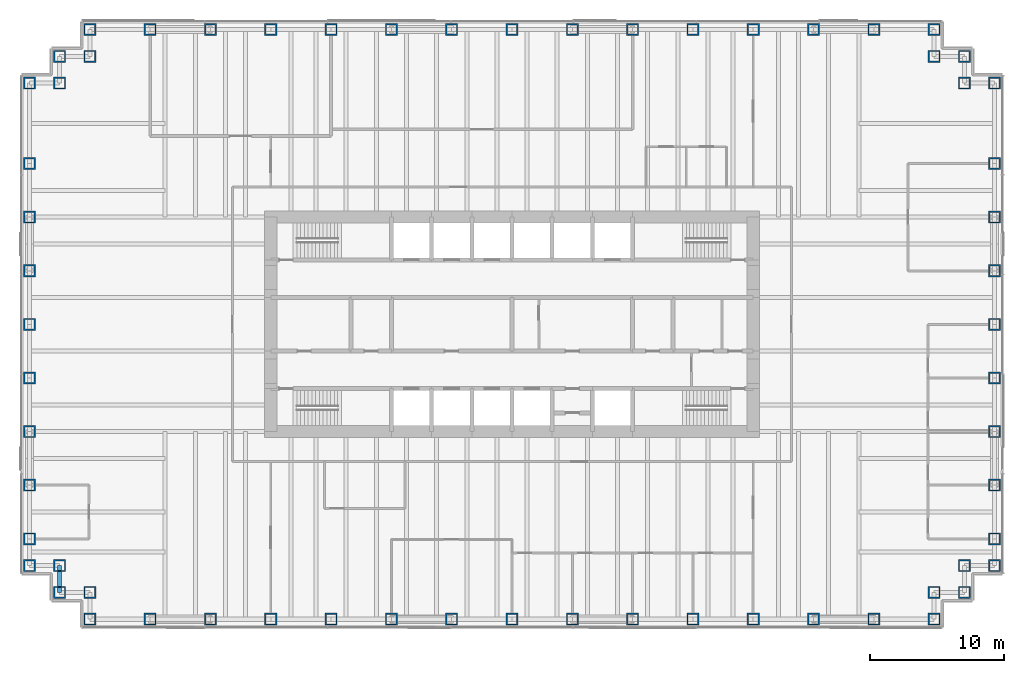
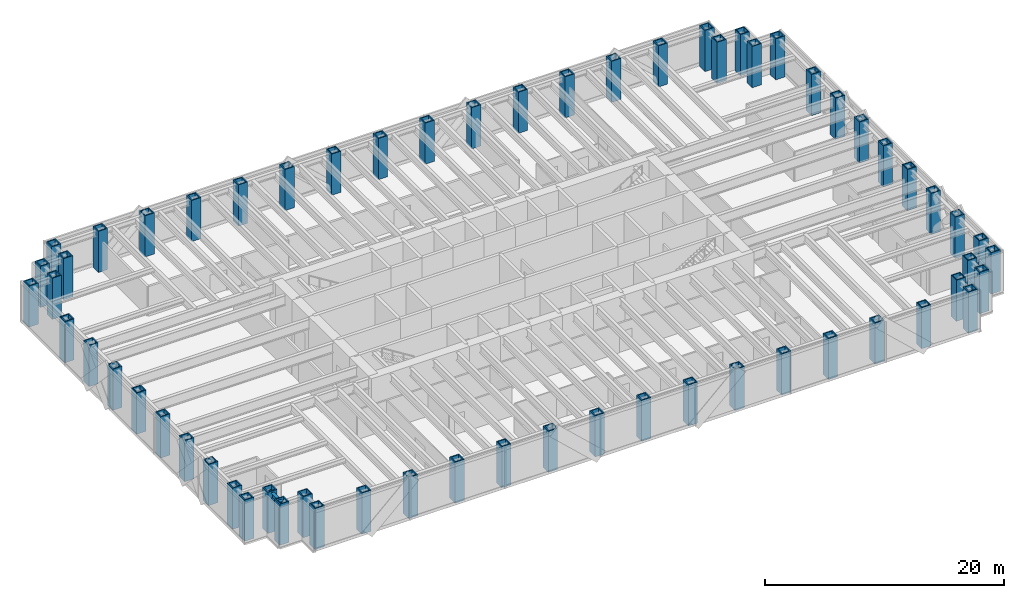
# One storey, part 1 of 17: 62 columns, 1 beam.
"""IFC4 building model written with IfcOpenShell, lengths in metres."""

from ifc_helpers import new_model, si_unit, direction, frame, origin, origin_2d, place, context, subcontext, project, spatial, hollow_rectangle, i_section, extrude, material, material_profile, profile_set, type_object, element, save


model = new_model("IFC4")

# Units and contexts
model_context = context("Model", 3, precision=1e-05, world=origin(), true_north=direction((0.0, 1.0)))
body_context = subcontext(model_context, "Body", "Model", "MODEL_VIEW")
ifc_project = project(units=[si_unit("LENGTHUNIT", "METRE"), si_unit("AREAUNIT", "SQUARE_METRE"), si_unit("VOLUMEUNIT", "CUBIC_METRE"), si_unit("PLANEANGLEUNIT", "RADIAN"), si_unit("MASSUNIT", "GRAM", prefix="KILO")], contexts=[model_context])

# Site, building, storey
site_placement = place(None, origin())
site = spatial("IfcSite", under=ifc_project, at=site_placement, CompositionType="ELEMENT")
building_placement = place(site_placement, origin())
building = spatial("IfcBuilding", under=site, at=building_placement, Name="Rheinbord Bourse Tower", CompositionType="ELEMENT")
storey_placement = place(building_placement, frame((0.0, 0.0, 129.89990234375)))
storey = spatial("IfcBuildingStorey", under=building, at=storey_placement, Name="L28", CompositionType="ELEMENT", Elevation=129.89990234375)

# Columns
ifc_material_1 = material(Name="Steel S460M", Category="steel")
ifc_material_profile_1 = material_profile(ifc_material_1, hollow_rectangle(XDim=0.89990234375, YDim=0.89990234375, WallThickness=0.10009765625, at=origin_2d()), Name="BOX 900x900x100")
ifc_profile_set_1 = profile_set([ifc_material_profile_1], Name="Steel S460M")
column_type = type_object("IfcColumnType", Name="TUBE COLUMN BOX 900x900x100", PredefinedType="COLUMN", material=ifc_profile_set_1)
for number, where, z_axis, x_axis, name in (
    (1, (4.5, 2.0, 0.0), (0.0, 0.0, 1.0), (0.0, 1.0, 0.0), "Column SW-E L28"),
    (2, (9.0, 2.0, 0.0), (0.0, 0.0, 1.0), (0.0, 1.0, 0.0), "Column S-9 L28"),
    (3, (13.5, 2.0, 0.0), (0.0, 0.0, 1.0), (0.0, 1.0, 0.0), "Column S-13.5 L28"),
    (4, (18.0, 2.0, 0.0), (0.0, 0.0, 1.0), (0.0, 1.0, 0.0), "Column S-18 L28"),
    (5, (22.5, 2.0, 0.0), (0.0, 0.0, 1.0), (0.0, 1.0, 0.0), "Column S-22.5 L28"),
    (6, (27.0, 2.0, 0.0), (0.0, 0.0, 1.0), (0.0, 1.0, 0.0), "Column S-27 L28"),
    (7, (31.5, 2.0, 0.0), (0.0, 0.0, 1.0), (0.0, 1.0, 0.0), "Column S-31.5 L28"),
    (8, (36.0, 2.0, 0.0), (0.0, 0.0, 1.0), (0.0, 1.0, 0.0), "Column S-36 L28"),
    (9, (40.5, 2.0, 0.0), (0.0, 0.0, 1.0), (0.0, 1.0, 0.0), "Column S-40.5 L28"),
    (10, (45.0, 2.0, 0.0), (0.0, 0.0, 1.0), (0.0, 1.0, 0.0), "Column S-45 L28"),
    (11, (49.5, 2.0, 0.0), (0.0, 0.0, 1.0), (0.0, 1.0, 0.0), "Column S-49.5 L28"),
    (12, (54.0, 2.0, 0.0), (0.0, 0.0, 1.0), (0.0, 1.0, 0.0), "Column S-54 L28"),
    (13, (58.5, 2.0, 0.0), (0.0, 0.0, 1.0), (0.0, 1.0, 0.0), "Column S-58.5 L28"),
    (14, (63.0, 2.0, 0.0), (0.0, 0.0, 1.0), (0.0, 1.0, 0.0), "Column S-63 L28"),
    (15, (67.5, 2.0, 0.0), (0.0, 0.0, 1.0), (0.0, 1.0, 0.0), "Column SE-E L28"),
    (16, (67.5, 4.0, 0.0), (0.0, 0.0, 1.0), (0.0, 1.0, 0.0), "Column SE-D L28"),
    (17, (69.75, 4.0, 0.0), (0.0, 0.0, 1.0), (1.0, 0.0, 0.0), "Column SE-C L28"),
    (18, (69.75, 6.0, 0.0), (0.0, 0.0, 1.0), (1.0, 0.0, 0.0), "Column SE-B L28"),
    (19, (72.0, 6.0, 0.0), (0.0, 0.0, 1.0), (1.0, 0.0, 0.0), "Column SE-A L28"),
    (20, (72.0, 8.0, 0.0), (0.0, 0.0, 1.0), (1.0, 0.0, 0.0), "Column E-8 L28"),
    (21, (72.0, 12.0, 0.0), (0.0, 0.0, 1.0), (1.0, 0.0, 0.0), "Column E-12 L28"),
    (22, (72.0, 16.0, 0.0), (0.0, 0.0, 1.0), (1.0, 0.0, 0.0), "Column E-16 L28"),
    (23, (72.0, 20.0, 0.0), (0.0, 0.0, 1.0), (1.0, 0.0, 0.0), "Column E-20 L28"),
    (24, (72.0, 24.0, 0.0), (0.0, 0.0, 1.0), (1.0, 0.0, 0.0), "Column E-24 L28"),
    (25, (72.0, 28.0, 0.0), (0.0, 0.0, 1.0), (1.0, 0.0, 0.0), "Column E-28 L28"),
    (26, (72.0, 32.0, 0.0), (0.0, 0.0, 1.0), (1.0, 0.0, 0.0), "Column E-32 L28"),
    (27, (72.0, 36.0, 0.0), (0.0, 0.0, 1.0), (1.0, 0.0, 0.0), "Column E-36 L28"),
    (28, (72.0, 42.0, 0.0), (0.0, 0.0, 1.0), (1.0, 0.0, 0.0), "Column NE-A L28"),
    (29, (69.75, 42.0, 0.0), (0.0, 0.0, 1.0), (1.0, 0.0, 0.0), "Column NE-B L28"),
    (30, (69.75, 44.0, 0.0), (0.0, 0.0, 1.0), (1.0, 0.0, 0.0), "Column NE-C L28"),
    (31, (67.5, 44.0, 0.0), (0.0, 0.0, 1.0), (0.0, 1.0, 0.0), "Column NE-D L28"),
    (32, (67.5, 46.0, 0.0), (0.0, 0.0, 1.0), (0.0, 1.0, 0.0), "Column NE-E L28"),
    (33, (63.0, 46.0, 0.0), (0.0, 0.0, 1.0), (0.0, 1.0, 0.0), "Column N-63 L28"),
    (34, (58.5, 46.0, 0.0), (0.0, 0.0, 1.0), (0.0, 1.0, 0.0), "Column N-58.5 L28"),
    (35, (54.0, 46.0, 0.0), (0.0, 0.0, 1.0), (0.0, 1.0, 0.0), "Column N-54 L28"),
    (36, (49.5, 46.0, 0.0), (0.0, 0.0, 1.0), (0.0, 1.0, 0.0), "Column N-49.5 L28"),
    (37, (45.0, 46.0, 0.0), (0.0, 0.0, 1.0), (0.0, 1.0, 0.0), "Column N-45 L28"),
    (38, (40.5, 46.0, 0.0), (0.0, 0.0, 1.0), (0.0, 1.0, 0.0), "Column N-40.5 L28"),
    (39, (36.0, 46.0, 0.0), (0.0, 0.0, 1.0), (0.0, 1.0, 0.0), "Column N-36 L28"),
    (40, (31.5, 46.0, 0.0), (0.0, 0.0, 1.0), (0.0, 1.0, 0.0), "Column N-31.5 L28"),
    (41, (27.0, 46.0, 0.0), (0.0, 0.0, 1.0), (0.0, 1.0, 0.0), "Column N-27 L28"),
    (42, (22.5, 46.0, 0.0), (0.0, 0.0, 1.0), (0.0, 1.0, 0.0), "Column N-22.5 L28"),
    (43, (18.0, 46.0, 0.0), (0.0, 0.0, 1.0), (0.0, 1.0, 0.0), "Column N-18 L28"),
    (44, (13.5, 46.0, 0.0), (0.0, 0.0, 1.0), (0.0, 1.0, 0.0), "Column N-13.5 L28"),
    (45, (9.0, 46.0, 0.0), (0.0, 0.0, 1.0), (0.0, 1.0, 0.0), "Column N-9 L28"),
    (46, (4.5, 46.0, 0.0), (0.0, 0.0, 1.0), (0.0, 1.0, 0.0), "Column NW-E L28"),
    (47, (4.5, 44.0, 0.0), (0.0, 0.0, 1.0), (0.0, 1.0, 0.0), "Column NW-D L28"),
    (48, (2.25, 44.0, 0.0), (0.0, 0.0, 1.0), (1.0, 0.0, 0.0), "Column NW-C L28"),
    (49, (2.25, 42.0, 0.0), (0.0, 0.0, 1.0), (1.0, 0.0, 0.0), "Column NW-B L28"),
    (50, (0.0, 42.0, 0.0), (0.0, 0.0, 1.0), (1.0, 0.0, 0.0), "Column NW-A L28"),
    (51, (0.0, 36.0, 0.0), (0.0, 0.0, 1.0), (1.0, 0.0, 0.0), "Column W-36 L28"),
    (52, (0.0, 32.0, 0.0), (0.0, 0.0, 1.0), (1.0, 0.0, 0.0), "Column W-32 L28"),
    (53, (0.0, 28.0, 0.0), (0.0, 0.0, 1.0), (1.0, 0.0, 0.0), "Column W-28 L28"),
    (54, (0.0, 24.0, 0.0), (0.0, 0.0, 1.0), (1.0, 0.0, 0.0), "Column W-24 L28"),
    (55, (0.0, 20.0, 0.0), (0.0, 0.0, 1.0), (1.0, 0.0, 0.0), "Column W-20 L28"),
    (56, (0.0, 16.0, 0.0), (0.0, 0.0, 1.0), (1.0, 0.0, 0.0), "Column W-16 L28"),
    (57, (0.0, 12.0, 0.0), (0.0, 0.0, 1.0), (1.0, 0.0, 0.0), "Column W-12 L28"),
    (58, (0.0, 8.0, 0.0), (0.0, 0.0, 1.0), (1.0, 0.0, 0.0), "Column W-8 L28"),
    (59, (0.0, 6.0, 0.0), (0.0, 0.0, 1.0), (1.0, 0.0, 0.0), "Column SW-A L28"),
    (60, (2.25, 6.0, 0.0), (0.0, 0.0, 1.0), (1.0, 0.0, 0.0), "Column SW-B L28"),
    (61, (2.25, 4.0, 0.0), (0.0, 0.0, 1.0), (1.0, 0.0, 0.0), "Column SW-C L28"),
    (62, (4.5, 4.0, 0.0), (0.0, 0.0, 1.0), (0.0, 1.0, 0.0), "Column SW-D L28"),
):
    element("IfcColumn", number, at=place(storey_placement, frame(where, z_axis=z_axis, x_axis=x_axis)), inside=storey, type_object=column_type, Name=name, PredefinedType="COLUMN", context=body_context, shape_type="SweptSolid", body=[
        extrude(hollow_rectangle(XDim=0.89990234375, YDim=0.89990234375, WallThickness=0.10009765625, at=origin_2d()), origin(), (0.0, 0.0, 1.0), 4.2001953125),
    ])

# Beam
ifc_material_2 = material(Name="Steel S460", Category="steel")
ifc_material_profile_2 = material_profile(ifc_material_2, i_section(OverallWidth=0.305908203125, OverallDepth=0.572021484375, WebThickness=0.02099609375, FlangeThickness=0.0400390625, at=origin_2d()), Name="HEM 550")
ifc_profile_set_2 = profile_set([ifc_material_profile_2], Name="Steel S460")
beam_type = type_object("IfcBeamType", Name="SPANDREL HEM 550", PredefinedType="SPANDREL", material=ifc_profile_set_2)
beam_placement = place(storey_placement, frame((2.25, 6.0, 3.754150390625), z_axis=(0.0, -1.0, 0.0), x_axis=(1.0, 0.0, 0.0)))
element("IfcBeam", 63, at=beam_placement, inside=storey, type_object=beam_type, Name="Spandrel SW-B-SW-C under L29", PredefinedType="SPANDREL", context=body_context, shape_type="SweptSolid", body=[
    extrude(i_section(OverallWidth=0.305908203125, OverallDepth=0.572021484375, WebThickness=0.02099609375, FlangeThickness=0.0400390625, at=origin_2d()), origin(), (0.0, 0.0, 1.0), 2.0),
])

save(model, "model.ifc")
